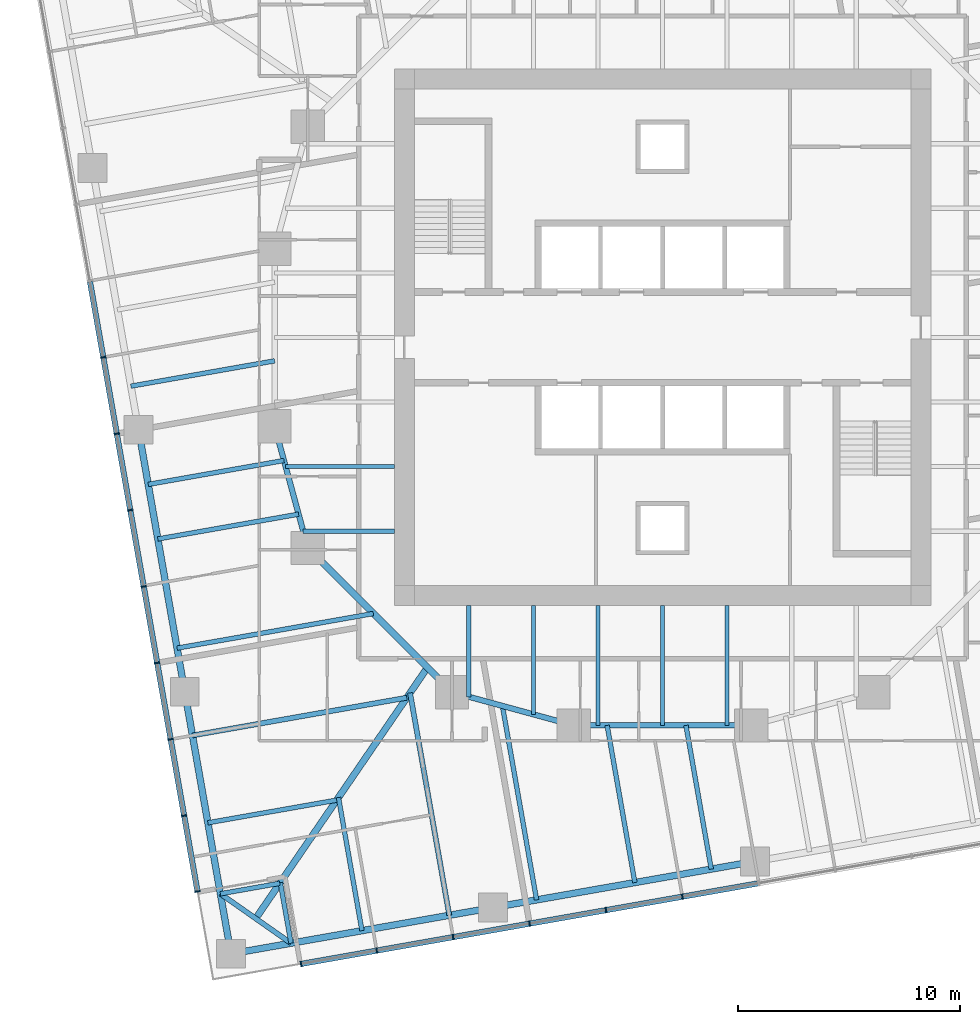
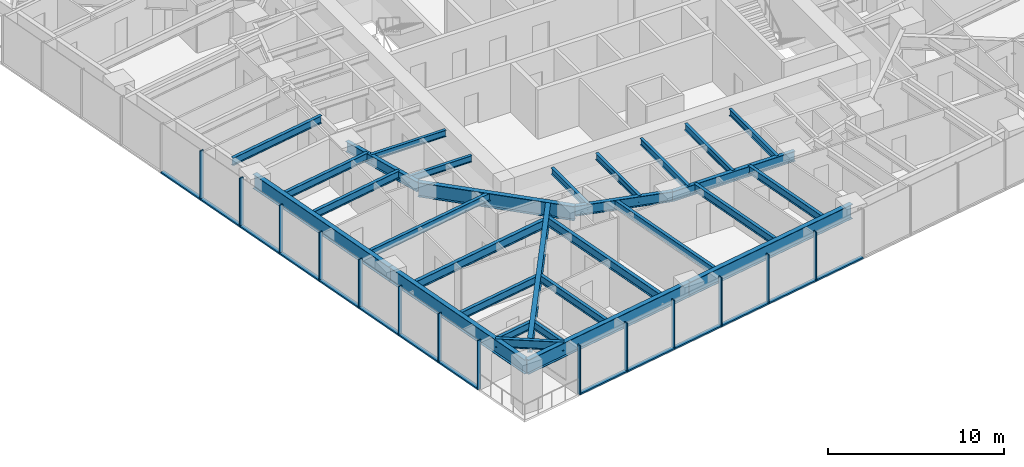
# One storey, part 2 of 14: 30 beams, 28 members, 2 elements without a shape of their own.
"""IFC4 building model written with IfcOpenShell, lengths in metres."""

from ifc_helpers import new_model, si_unit, direction, frame, origin, origin_2d, place, context, subcontext, project, spatial, rectangle, i_section, extrude, material, material_profile, profile_set, type_object, element, aggregate, save


model = new_model("IFC4")

# Units and contexts
model_context = context("Model", 3, precision=1e-05, world=origin(), true_north=direction((0.0, 1.0)))
body_context = subcontext(model_context, "Body", "Model", "MODEL_VIEW")
ifc_project = project(units=[si_unit("LENGTHUNIT", "METRE"), si_unit("AREAUNIT", "SQUARE_METRE"), si_unit("VOLUMEUNIT", "CUBIC_METRE"), si_unit("PLANEANGLEUNIT", "RADIAN"), si_unit("MASSUNIT", "GRAM", prefix="KILO")], contexts=[model_context])

# Site, building, storey
site_placement = place(None, origin())
site = spatial("IfcSite", under=ifc_project, at=site_placement, CompositionType="ELEMENT")
building_placement = place(site_placement, origin())
building = spatial("IfcBuilding", under=site, at=building_placement, Name="Torsade Residences", CompositionType="ELEMENT")
storey_placement = place(building_placement, frame((0.0, 0.0, 99.800048828125)))
storey = spatial("IfcBuildingStorey", under=building, at=storey_placement, Name="L27", CompositionType="ELEMENT", Elevation=99.800048828125)

# Beams
ifc_material_1 = material(Name="Steel grade 300", Category="steel")
ifc_material_profile_1 = material_profile(ifc_material_1, i_section(OverallWidth=0.300048828125, OverallDepth=0.89990234375, WebThickness=0.011962890625, FlangeThickness=0.02490234375, at=origin_2d()), Name="900WB175")
ifc_profile_set_1 = profile_set([ifc_material_profile_1], Name="Steel grade 300")
beam_type_1 = type_object("IfcBeamType", Name="CORNER GIRDER 900WB175", PredefinedType="BEAM", material=ifc_profile_set_1)
beam_1_placement = place(storey_placement, frame((21.6474609375, 3.7900390625, 2.800048828125), z_axis=(0.564724759437, 0.825279313977, 0.0), x_axis=(-0.825279313977, 0.564724759437, 0.0)))
element("IfcBeam", 1, at=beam_1_placement, inside=storey, type_object=beam_type_1, Name="Corner girder 01 L28", PredefinedType="BEAM", context=body_context, shape_type="SweptSolid", body=[
    extrude(i_section(OverallWidth=0.300048828125, OverallDepth=0.89990234375, WebThickness=0.011962890625, FlangeThickness=0.02490234375, at=origin_2d()), origin(), (0.0, 0.0, 1.0), 13.7138671875),
])
ifc_material_2 = material(Name="Steel grade 300", Category="steel")
ifc_material_profile_2 = material_profile(ifc_material_2, i_section(OverallWidth=0.22802734375, OverallDepth=0.60205078125, WebThickness=0.010498046875, FlangeThickness=0.014892578125, FilletRadius=0.013916015625, at=origin_2d()), Name="610UB101")
ifc_profile_set_2 = profile_set([ifc_material_profile_2], Name="Steel grade 300")
beam_type_2 = type_object("IfcBeamType", Name="CORNER TRIMMER 610UB101", PredefinedType="BEAM", material=ifc_profile_set_2)
beam_2_placement = place(storey_placement, frame((23.240478515625, 2.674560546875, 2.948974609375), z_axis=(-0.819152285145, 0.573576092373, 0.0), x_axis=(-0.573576092373, -0.819152285145, 0.0)))
element("IfcBeam", 2, at=beam_2_placement, inside=storey, type_object=beam_type_2, Name="Corner trimmer 01 L28", PredefinedType="BEAM", context=body_context, shape_type="SweptSolid", body=[
    extrude(i_section(OverallWidth=0.22802734375, OverallDepth=0.60205078125, WebThickness=0.010498046875, FlangeThickness=0.014892578125, FilletRadius=0.013916015625, at=origin_2d()), origin(), (0.0, 0.0, 1.0), 3.88916015625),
])

# Curtain wall, members
ifc_material_3 = material(Name="Aluminium and glass", Category="aluminium")
curtain_wall_type = type_object("IfcCurtainWallType", Name="FRITTED GLASS CURTAIN WALL LOW ZONE", PredefinedType="NOTDEFINED", material=ifc_material_3)
curtain_wall_1_placement = place(storey_placement, origin())
curtain_wall_1 = element("IfcCurtainWall", 3, at=curtain_wall_1_placement, inside=storey, type_object=curtain_wall_type, Name="Curtain wall L27 face 1", PredefinedType="NOTDEFINED")
ifc_material_4 = material(Name="Aluminium mullion", Category="aluminium")
ifc_material_profile_3 = material_profile(ifc_material_4, rectangle(XDim=0.25, YDim=0.06494140625, at=origin_2d()), Name="CURTAIN WALL MULLION 250x65")
ifc_profile_set_3 = profile_set([ifc_material_profile_3], Name="Aluminium mullion")
member_type_1 = type_object("IfcMemberType", Name="CURTAIN WALL MULLION 250x65", PredefinedType="MULLION", material=ifc_profile_set_3)
member_1_placement = place(storey_placement, frame((23.692138671875, 1.73876953125, 0.0), z_axis=(0.0, 0.0, 1.0), x_axis=(-0.173648192638, 0.984807750372, 0.0)))
member_1 = element("IfcMember", 4, at=member_1_placement, type_object=member_type_1, Name="Mullion 1", PredefinedType="MULLION", context=body_context, shape_type="SweptSolid", body=[
    extrude(rectangle(XDim=0.25, YDim=0.06494140625, at=origin_2d()), origin(), (0.0, 0.0, 1.0), 3.39990234375),
])
member_2_placement = place(storey_placement, frame((27.107177734375, 2.341064453125, 0.0), z_axis=(0.0, 0.0, 1.0), x_axis=(-0.173648192638, 0.984807750372, 0.0)))
member_2 = element("IfcMember", 5, at=member_2_placement, type_object=member_type_1, Name="Mullion 2", PredefinedType="MULLION", context=body_context, shape_type="SweptSolid", body=[
    extrude(rectangle(XDim=0.25, YDim=0.06494140625, at=origin_2d()), origin(), (0.0, 0.0, 1.0), 3.39990234375),
])
member_3_placement = place(storey_placement, frame((30.553955078125, 2.94873046875, 0.0), z_axis=(0.0, 0.0, 1.0), x_axis=(-0.173648192638, 0.984807750372, 0.0)))
member_3 = element("IfcMember", 6, at=member_3_placement, type_object=member_type_1, Name="Mullion 3", PredefinedType="MULLION", context=body_context, shape_type="SweptSolid", body=[
    extrude(rectangle(XDim=0.25, YDim=0.06494140625, at=origin_2d()), origin(), (0.0, 0.0, 1.0), 3.39990234375),
])
member_4_placement = place(storey_placement, frame((34.000732421875, 3.556396484375, 0.0), z_axis=(0.0, 0.0, 1.0), x_axis=(-0.173648192638, 0.984807750372, 0.0)))
member_4 = element("IfcMember", 7, at=member_4_placement, type_object=member_type_1, Name="Mullion 4", PredefinedType="MULLION", context=body_context, shape_type="SweptSolid", body=[
    extrude(rectangle(XDim=0.25, YDim=0.06494140625, at=origin_2d()), origin(), (0.0, 0.0, 1.0), 3.39990234375),
])
member_5_placement = place(storey_placement, frame((37.447509765625, 4.164306640625, 0.0), z_axis=(0.0, 0.0, 1.0), x_axis=(-0.173648192638, 0.984807750372, 0.0)))
member_5 = element("IfcMember", 8, at=member_5_placement, type_object=member_type_1, Name="Mullion 5", PredefinedType="MULLION", context=body_context, shape_type="SweptSolid", body=[
    extrude(rectangle(XDim=0.25, YDim=0.06494140625, at=origin_2d()), origin(), (0.0, 0.0, 1.0), 3.39990234375),
])
member_6_placement = place(storey_placement, frame((40.894287109375, 4.77197265625, 0.0), z_axis=(0.0, 0.0, 1.0), x_axis=(-0.173648192638, 0.984807750372, 0.0)))
member_6 = element("IfcMember", 9, at=member_6_placement, type_object=member_type_1, Name="Mullion 6", PredefinedType="MULLION", context=body_context, shape_type="SweptSolid", body=[
    extrude(rectangle(XDim=0.25, YDim=0.06494140625, at=origin_2d()), origin(), (0.0, 0.0, 1.0), 3.39990234375),
])

curtain_wall_2_placement = place(storey_placement, origin())
curtain_wall_2 = element("IfcCurtainWall", 10, at=curtain_wall_2_placement, inside=storey, type_object=curtain_wall_type, Name="Curtain wall L27 face 10", PredefinedType="NOTDEFINED")
member_7_placement = place(storey_placement, frame((14.77197265625, 29.105712890625, 0.0), z_axis=(0.0, 0.0, 1.0), x_axis=(0.984807750372, 0.173648192638, 0.0)))
member_7 = element("IfcMember", 11, at=member_7_placement, type_object=member_type_1, Name="Mullion 6", PredefinedType="MULLION", context=body_context, shape_type="SweptSolid", body=[
    extrude(rectangle(XDim=0.25, YDim=0.06494140625, at=origin_2d()), origin(), (0.0, 0.0, 1.0), 3.39990234375),
])
member_8_placement = place(storey_placement, frame((15.3798828125, 25.65869140625, 0.0), z_axis=(0.0, 0.0, 1.0), x_axis=(0.984807750372, 0.173648192638, 0.0)))
member_8 = element("IfcMember", 12, at=member_8_placement, type_object=member_type_1, Name="Mullion 7", PredefinedType="MULLION", context=body_context, shape_type="SweptSolid", body=[
    extrude(rectangle(XDim=0.25, YDim=0.06494140625, at=origin_2d()), origin(), (0.0, 0.0, 1.0), 3.39990234375),
])
member_9_placement = place(storey_placement, frame((15.987548828125, 22.2119140625, 0.0), z_axis=(0.0, 0.0, 1.0), x_axis=(0.984807750372, 0.173648192638, 0.0)))
member_9 = element("IfcMember", 13, at=member_9_placement, type_object=member_type_1, Name="Mullion 8", PredefinedType="MULLION", context=body_context, shape_type="SweptSolid", body=[
    extrude(rectangle(XDim=0.25, YDim=0.06494140625, at=origin_2d()), origin(), (0.0, 0.0, 1.0), 3.39990234375),
])
member_10_placement = place(storey_placement, frame((16.595458984375, 18.76513671875, 0.0), z_axis=(0.0, 0.0, 1.0), x_axis=(0.984807750372, 0.173648192638, 0.0)))
member_10 = element("IfcMember", 14, at=member_10_placement, type_object=member_type_1, Name="Mullion 9", PredefinedType="MULLION", context=body_context, shape_type="SweptSolid", body=[
    extrude(rectangle(XDim=0.25, YDim=0.06494140625, at=origin_2d()), origin(), (0.0, 0.0, 1.0), 3.39990234375),
])
member_11_placement = place(storey_placement, frame((17.203125, 15.318359375, 0.0), z_axis=(0.0, 0.0, 1.0), x_axis=(0.984807750372, 0.173648192638, 0.0)))
member_11 = element("IfcMember", 15, at=member_11_placement, type_object=member_type_1, Name="Mullion 10", PredefinedType="MULLION", context=body_context, shape_type="SweptSolid", body=[
    extrude(rectangle(XDim=0.25, YDim=0.06494140625, at=origin_2d()), origin(), (0.0, 0.0, 1.0), 3.39990234375),
])
member_12_placement = place(storey_placement, frame((17.810791015625, 11.87158203125, 0.0), z_axis=(0.0, 0.0, 1.0), x_axis=(0.984807750372, 0.173648192638, 0.0)))
member_12 = element("IfcMember", 16, at=member_12_placement, type_object=member_type_1, Name="Mullion 11", PredefinedType="MULLION", context=body_context, shape_type="SweptSolid", body=[
    extrude(rectangle(XDim=0.25, YDim=0.06494140625, at=origin_2d()), origin(), (0.0, 0.0, 1.0), 3.39990234375),
])
member_13_placement = place(storey_placement, frame((18.418701171875, 8.424560546875, 0.0), z_axis=(0.0, 0.0, 1.0), x_axis=(0.984807750372, 0.173648192638, 0.0)))
member_13 = element("IfcMember", 17, at=member_13_placement, type_object=member_type_1, Name="Mullion 12", PredefinedType="MULLION", context=body_context, shape_type="SweptSolid", body=[
    extrude(rectangle(XDim=0.25, YDim=0.06494140625, at=origin_2d()), origin(), (0.0, 0.0, 1.0), 3.39990234375),
])
member_14_placement = place(storey_placement, frame((19.020751953125, 5.009765625, 0.0), z_axis=(0.0, 0.0, 1.0), x_axis=(0.984807750372, 0.173648192638, 0.0)))
member_14 = element("IfcMember", 18, at=member_14_placement, type_object=member_type_1, Name="Mullion 13", PredefinedType="MULLION", context=body_context, shape_type="SweptSolid", body=[
    extrude(rectangle(XDim=0.25, YDim=0.06494140625, at=origin_2d()), origin(), (0.0, 0.0, 1.0), 3.39990234375),
])

# Member
ifc_material_5 = material(Name="Aluminium transom", Category="aluminium")
ifc_material_profile_4 = material_profile(ifc_material_5, rectangle(XDim=0.25, YDim=0.10009765625, at=origin_2d()), Name="CURTAIN WALL TRANSOM 250x100")
ifc_profile_set_4 = profile_set([ifc_material_profile_4], Name="Aluminium transom")
member_type_2 = type_object("IfcMemberType", Name="CURTAIN WALL TRANSOM 250x100", PredefinedType="USERDEFINED", material=ifc_profile_set_4)
member_15_placement = place(storey_placement, frame((23.724365234375, 1.744384765625, 0.050048828125), z_axis=(0.984806666774, 0.173654337918, 0.0), x_axis=(-0.173654337918, 0.984806666774, 0.0)))
member_15 = element("IfcMember", 19, at=member_15_placement, type_object=member_type_2, Name="Transom 1.1", ObjectType="TRANSOM", PredefinedType="USERDEFINED", context=body_context, shape_type="SweptSolid", body=[
    extrude(rectangle(XDim=0.25, YDim=0.10009765625, at=origin_2d()), origin(), (0.0, 0.0, 1.0), 3.40234375),
])

member_16_placement = place(storey_placement, frame((27.13916015625, 2.3466796875, 0.050048828125), z_axis=(0.984810021497, 0.17363531196, 0.0), x_axis=(-0.17363531196, 0.984810021497, 0.0)))
member_16 = element("IfcMember", 20, at=member_16_placement, type_object=member_type_2, Name="Transom 2.1", ObjectType="TRANSOM", PredefinedType="USERDEFINED", context=body_context, shape_type="SweptSolid", body=[
    extrude(rectangle(XDim=0.25, YDim=0.10009765625, at=origin_2d()), origin(), (0.0, 0.0, 1.0), 3.43505859375),
])

member_17_placement = place(storey_placement, frame((30.5859375, 2.954345703125, 0.050048828125), z_axis=(0.984810021497, 0.17363531196, 0.0), x_axis=(-0.17363531196, 0.984810021497, 0.0)))
member_17 = element("IfcMember", 21, at=member_17_placement, type_object=member_type_2, Name="Transom 3.1", ObjectType="TRANSOM", PredefinedType="USERDEFINED", context=body_context, shape_type="SweptSolid", body=[
    extrude(rectangle(XDim=0.25, YDim=0.10009765625, at=origin_2d()), origin(), (0.0, 0.0, 1.0), 3.43505859375),
])

member_18_placement = place(storey_placement, frame((34.03271484375, 3.562255859375, 0.050048828125), z_axis=(0.984810021497, 0.17363531196, 0.0), x_axis=(-0.17363531196, 0.984810021497, 0.0)))
member_18 = element("IfcMember", 22, at=member_18_placement, type_object=member_type_2, Name="Transom 4.1", ObjectType="TRANSOM", PredefinedType="USERDEFINED", context=body_context, shape_type="SweptSolid", body=[
    extrude(rectangle(XDim=0.25, YDim=0.10009765625, at=origin_2d()), origin(), (0.0, 0.0, 1.0), 3.43505859375),
])

member_19_placement = place(storey_placement, frame((37.4794921875, 4.169921875, 0.050048828125), z_axis=(0.984810021497, 0.17363531196, 0.0), x_axis=(-0.17363531196, 0.984810021497, 0.0)))
member_19 = element("IfcMember", 23, at=member_19_placement, type_object=member_type_2, Name="Transom 5.1", ObjectType="TRANSOM", PredefinedType="USERDEFINED", context=body_context, shape_type="SweptSolid", body=[
    extrude(rectangle(XDim=0.25, YDim=0.10009765625, at=origin_2d()), origin(), (0.0, 0.0, 1.0), 3.43505859375),
])

member_20_placement = place(storey_placement, frame((40.92626953125, 4.777587890625, 0.050048828125), z_axis=(0.98479786563, 0.173704242465, 0.0), x_axis=(-0.173704242465, 0.98479786563, 0.0)))
member_20 = element("IfcMember", 24, at=member_20_placement, type_object=member_type_2, Name="Transom 6.1", ObjectType="TRANSOM", PredefinedType="USERDEFINED", context=body_context, shape_type="SweptSolid", body=[
    extrude(rectangle(XDim=0.25, YDim=0.10009765625, at=origin_2d()), origin(), (0.0, 0.0, 1.0), 3.43505859375),
])

aggregate(curtain_wall_1, [member_1, member_2, member_3, member_4, member_5, member_6, member_15, member_16, member_17, member_18, member_19, member_20])

member_21_placement = place(storey_placement, frame((14.169921875, 32.5205078125, 0.050048828125), z_axis=(0.17363531196, -0.984810021497, 0.0), x_axis=(0.984810021497, 0.17363531196, 0.0)))
member_21 = element("IfcMember", 25, at=member_21_placement, type_object=member_type_2, Name="Transom 5.1", ObjectType="TRANSOM", PredefinedType="USERDEFINED", context=body_context, shape_type="SweptSolid", body=[
    extrude(rectangle(XDim=0.25, YDim=0.10009765625, at=origin_2d()), origin(), (0.0, 0.0, 1.0), 3.43505859375),
])

member_22_placement = place(storey_placement, frame((14.777587890625, 29.07373046875, 0.050048828125), z_axis=(0.173704242465, -0.98479786563, 0.0), x_axis=(0.98479786563, 0.173704242465, 0.0)))
member_22 = element("IfcMember", 26, at=member_22_placement, type_object=member_type_2, Name="Transom 6.1", ObjectType="TRANSOM", PredefinedType="USERDEFINED", context=body_context, shape_type="SweptSolid", body=[
    extrude(rectangle(XDim=0.25, YDim=0.10009765625, at=origin_2d()), origin(), (0.0, 0.0, 1.0), 3.43505859375),
])

member_23_placement = place(storey_placement, frame((15.385498046875, 25.626708984375, 0.050048828125), z_axis=(0.17363531196, -0.984810021497, 0.0), x_axis=(0.984810021497, 0.17363531196, 0.0)))
member_23 = element("IfcMember", 27, at=member_23_placement, type_object=member_type_2, Name="Transom 7.1", ObjectType="TRANSOM", PredefinedType="USERDEFINED", context=body_context, shape_type="SweptSolid", body=[
    extrude(rectangle(XDim=0.25, YDim=0.10009765625, at=origin_2d()), origin(), (0.0, 0.0, 1.0), 3.43505859375),
])

member_24_placement = place(storey_placement, frame((15.9931640625, 22.179931640625, 0.050048828125), z_axis=(0.17363531196, -0.984810021497, 0.0), x_axis=(0.984810021497, 0.17363531196, 0.0)))
member_24 = element("IfcMember", 28, at=member_24_placement, type_object=member_type_2, Name="Transom 8.1", ObjectType="TRANSOM", PredefinedType="USERDEFINED", context=body_context, shape_type="SweptSolid", body=[
    extrude(rectangle(XDim=0.25, YDim=0.10009765625, at=origin_2d()), origin(), (0.0, 0.0, 1.0), 3.43505859375),
])

member_25_placement = place(storey_placement, frame((16.60107421875, 18.733154296875, 0.050048828125), z_axis=(0.17363531196, -0.984810021497, 0.0), x_axis=(0.984810021497, 0.17363531196, 0.0)))
member_25 = element("IfcMember", 29, at=member_25_placement, type_object=member_type_2, Name="Transom 9.1", ObjectType="TRANSOM", PredefinedType="USERDEFINED", context=body_context, shape_type="SweptSolid", body=[
    extrude(rectangle(XDim=0.25, YDim=0.10009765625, at=origin_2d()), origin(), (0.0, 0.0, 1.0), 3.43505859375),
])

member_26_placement = place(storey_placement, frame((17.208740234375, 15.286376953125, 0.050048828125), z_axis=(0.17363531196, -0.984810021497, 0.0), x_axis=(0.984810021497, 0.17363531196, 0.0)))
member_26 = element("IfcMember", 30, at=member_26_placement, type_object=member_type_2, Name="Transom 10.1", ObjectType="TRANSOM", PredefinedType="USERDEFINED", context=body_context, shape_type="SweptSolid", body=[
    extrude(rectangle(XDim=0.25, YDim=0.10009765625, at=origin_2d()), origin(), (0.0, 0.0, 1.0), 3.43505859375),
])

member_27_placement = place(storey_placement, frame((17.81640625, 11.839599609375, 0.050048828125), z_axis=(0.173704242465, -0.98479786563, 0.0), x_axis=(0.98479786563, 0.173704242465, 0.0)))
member_27 = element("IfcMember", 31, at=member_27_placement, type_object=member_type_2, Name="Transom 11.1", ObjectType="TRANSOM", PredefinedType="USERDEFINED", context=body_context, shape_type="SweptSolid", body=[
    extrude(rectangle(XDim=0.25, YDim=0.10009765625, at=origin_2d()), origin(), (0.0, 0.0, 1.0), 3.43505859375),
])

member_28_placement = place(storey_placement, frame((18.42431640625, 8.392578125, 0.050048828125), z_axis=(0.173642067011, -0.984808830466, 0.0), x_axis=(0.984808830466, 0.173642067011, 0.0)))
member_28 = element("IfcMember", 32, at=member_28_placement, type_object=member_type_2, Name="Transom 12.1", ObjectType="TRANSOM", PredefinedType="USERDEFINED", context=body_context, shape_type="SweptSolid", body=[
    extrude(rectangle(XDim=0.25, YDim=0.10009765625, at=origin_2d()), origin(), (0.0, 0.0, 1.0), 3.402587890625),
])

aggregate(curtain_wall_2, [member_7, member_8, member_9, member_10, member_11, member_12, member_13, member_14, member_21, member_22, member_23, member_24, member_25, member_26, member_27, member_28])

# Beams
ifc_material_6 = material(Name="Steel grade 300", Category="steel")
ifc_material_profile_5 = material_profile(ifc_material_6, i_section(OverallWidth=0.300048828125, OverallDepth=1.0, WebThickness=0.01611328125, FlangeThickness=0.028076171875, at=origin_2d()), Name="1000WB215")
ifc_profile_set_5 = profile_set([ifc_material_profile_5], Name="Steel grade 300")
beam_type_3 = type_object("IfcBeamType", Name="EDGE BEAM 1000WB215", PredefinedType="SPANDREL", material=ifc_profile_set_5)
for number, where, z_axis, x_axis, name in (
    (33, (20.5322265625, 2.197021484375, 2.75), (0.984808127031, 0.173646056486, 0.0), (-0.173646056486, 0.984808127031, 0.0), "Edge beam 01 L28"),
    (34, (32.349853515625, 4.28076171875, 2.75), (0.984808127031, 0.173646056486, 0.0), (-0.173646056486, 0.984808127031, 0.0), "Edge beam 02 L28"),
):
    element("IfcBeam", number, at=place(storey_placement, frame(where, z_axis=z_axis, x_axis=x_axis)), inside=storey, type_object=beam_type_3, Name=name, PredefinedType="SPANDREL", context=body_context, shape_type="SweptSolid", body=[
        extrude(i_section(OverallWidth=0.300048828125, OverallDepth=1.0, WebThickness=0.01611328125, FlangeThickness=0.028076171875, at=origin_2d()), origin(), (0.0, 0.0, 1.0), 12.0),
    ])
beam_3_placement = place(storey_placement, frame((16.364501953125, 25.83251953125, 2.75), z_axis=(0.173662308598, -0.984805261243, 0.0), x_axis=(0.984805261243, 0.173662308598, 0.0)))
element("IfcBeam", 35, at=beam_3_placement, inside=storey, type_object=beam_type_3, Name="Edge beam 15 L28", PredefinedType="SPANDREL", context=body_context, shape_type="SweptSolid", body=[
    extrude(i_section(OverallWidth=0.300048828125, OverallDepth=1.0, WebThickness=0.01611328125, FlangeThickness=0.028076171875, at=origin_2d()), origin(), (0.0, 0.0, 1.0), 12.000244140625),
])
beam_4_placement = place(storey_placement, frame((18.448486328125, 14.0146484375, 2.75), z_axis=(0.173646056486, -0.984808127031, 0.0), x_axis=(0.984808127031, 0.173646056486, 0.0)))
element("IfcBeam", 36, at=beam_4_placement, inside=storey, type_object=beam_type_3, Name="Edge beam 16 L28", PredefinedType="SPANDREL", context=body_context, shape_type="SweptSolid", body=[
    extrude(i_section(OverallWidth=0.300048828125, OverallDepth=1.0, WebThickness=0.01611328125, FlangeThickness=0.028076171875, at=origin_2d()), origin(), (0.0, 0.0, 1.0), 12.0),
])
ifc_material_7 = material(Name="Steel grade 300", Category="steel")
ifc_material_profile_6 = material_profile(ifc_material_7, i_section(OverallWidth=0.18994140625, OverallDepth=0.4541015625, WebThickness=0.008544921875, FlangeThickness=0.0126953125, FilletRadius=0.011474609375, at=origin_2d()), Name="460UB67.1")
ifc_profile_set_6 = profile_set([ifc_material_profile_6], Name="Steel grade 300")
beam_type_4 = type_object("IfcBeamType", Name="INNER FLOOR BEAM 460UB67.1", PredefinedType="JOIST", material=ifc_profile_set_6)
for number, where, z_axis, x_axis, name in (
    (37, (42.91259765625, 17.89990234375, 3.02294921875), (0.0, -1.0, 0.0), (1.0, 0.0, 0.0), "Inner floor beam IS03 L28"),
    (38, (40.0, 17.89990234375, 3.02294921875), (0.0, -1.0, 0.0), (1.0, 0.0, 0.0), "Inner floor beam IS04 L28"),
    (39, (37.08740234375, 17.89990234375, 3.02294921875), (0.0, -1.0, 0.0), (1.0, 0.0, 0.0), "Inner floor beam IS05 L28"),
):
    element("IfcBeam", number, at=place(storey_placement, frame(where, z_axis=z_axis, x_axis=x_axis)), inside=storey, type_object=beam_type_4, Name=name, PredefinedType="JOIST", context=body_context, shape_type="SweptSolid", body=[
        extrude(i_section(OverallWidth=0.18994140625, OverallDepth=0.4541015625, WebThickness=0.008544921875, FlangeThickness=0.0126953125, FilletRadius=0.011474609375, at=origin_2d()), origin(), (0.0, 0.0, 1.0), 5.39990234375),
    ])
beam_5_placement = place(storey_placement, frame((34.175048828125, 17.89990234375, 3.02294921875), z_axis=(0.0, -1.0, 0.0), x_axis=(1.0, 0.0, 0.0)))
element("IfcBeam", 40, at=beam_5_placement, inside=storey, type_object=beam_type_4, Name="Inner floor beam IS06 L28", PredefinedType="JOIST", context=body_context, shape_type="SweptSolid", body=[
    extrude(i_section(OverallWidth=0.18994140625, OverallDepth=0.4541015625, WebThickness=0.008544921875, FlangeThickness=0.0126953125, FilletRadius=0.011474609375, at=origin_2d()), origin(), (0.0, 0.0, 1.0), 4.902099609375),
])
beam_6_placement = place(storey_placement, frame((31.262451171875, 17.89990234375, 3.02294921875), z_axis=(0.0, -1.0, 0.0), x_axis=(1.0, 0.0, 0.0)))
element("IfcBeam", 41, at=beam_6_placement, inside=storey, type_object=beam_type_4, Name="Inner floor beam IS07 L28", PredefinedType="JOIST", context=body_context, shape_type="SweptSolid", body=[
    extrude(i_section(OverallWidth=0.18994140625, OverallDepth=0.4541015625, WebThickness=0.008544921875, FlangeThickness=0.0126953125, FilletRadius=0.011474609375, at=origin_2d()), origin(), (0.0, 0.0, 1.0), 4.10791015625),
])
beam_7_placement = place(storey_placement, frame((27.89990234375, 24.175048828125, 3.02294921875), z_axis=(-1.0, 0.0, 0.0), x_axis=(0.0, -1.0, 0.0)))
element("IfcBeam", 42, at=beam_7_placement, inside=storey, type_object=beam_type_4, Name="Inner floor beam IW06 L28", PredefinedType="JOIST", context=body_context, shape_type="SweptSolid", body=[
    extrude(i_section(OverallWidth=0.18994140625, OverallDepth=0.4541015625, WebThickness=0.008544921875, FlangeThickness=0.0126953125, FilletRadius=0.011474609375, at=origin_2d()), origin(), (0.0, 0.0, 1.0), 4.902099609375),
])
beam_8_placement = place(storey_placement, frame((27.89990234375, 21.262451171875, 3.02294921875), z_axis=(-1.0, 0.0, 0.0), x_axis=(0.0, -1.0, 0.0)))
element("IfcBeam", 43, at=beam_8_placement, inside=storey, type_object=beam_type_4, Name="Inner floor beam IW07 L28", PredefinedType="JOIST", context=body_context, shape_type="SweptSolid", body=[
    extrude(i_section(OverallWidth=0.18994140625, OverallDepth=0.4541015625, WebThickness=0.008544921875, FlangeThickness=0.0126953125, FilletRadius=0.011474609375, at=origin_2d()), origin(), (0.0, 0.0, 1.0), 4.10791015625),
])
ifc_material_8 = material(Name="Steel grade 300", Category="steel")
ifc_material_profile_7 = material_profile(ifc_material_8, i_section(OverallWidth=0.300048828125, OverallDepth=1.0, WebThickness=0.01611328125, FlangeThickness=0.028076171875, at=origin_2d()), Name="1000WB215")
ifc_profile_set_7 = profile_set([ifc_material_profile_7], Name="Steel grade 300")
beam_type_5 = type_object("IfcBeamType", Name="RING CORNER GIRDER 1000WB215", PredefinedType="BEAM", material=ifc_profile_set_7)
beam_9_placement = place(storey_placement, frame((24.0, 20.5, 2.75), z_axis=(0.707106781187, -0.707106781187, 0.0), x_axis=(0.707106781187, 0.707106781187, 0.0)))
element("IfcBeam", 44, at=beam_9_placement, inside=storey, type_object=beam_type_5, Name="Ring girder IR11 L28", PredefinedType="BEAM", context=body_context, shape_type="SweptSolid", body=[
    extrude(i_section(OverallWidth=0.300048828125, OverallDepth=1.0, WebThickness=0.01611328125, FlangeThickness=0.028076171875, at=origin_2d()), origin(), (0.0, 0.0, 1.0), 9.1923828125),
])
ifc_material_9 = material(Name="Steel grade 300", Category="steel")
ifc_material_profile_8 = material_profile(ifc_material_9, i_section(OverallWidth=0.25, OverallDepth=0.699951171875, WebThickness=0.010009765625, FlangeThickness=0.02001953125, at=origin_2d()), Name="700WB130")
ifc_profile_set_8 = profile_set([ifc_material_profile_8], Name="Steel grade 300")
beam_type_6 = type_object("IfcBeamType", Name="RING GIRDER 700WB130", PredefinedType="BEAM", material=ifc_profile_set_8)
for number, where, z_axis, x_axis, name in (
    (45, (22.5, 26.0, 2.89990234375), (0.263117405792, -0.964763821238, 0.0), (0.964763821238, 0.263117405792, 0.0), "Ring girder IR10 L28"),
    (46, (30.5, 14.0, 2.89990234375), (0.964763821238, -0.263117405792, 0.0), (0.263117405792, 0.964763821238, 0.0), "Ring girder IR12 L28"),
):
    element("IfcBeam", number, at=place(storey_placement, frame(where, z_axis=z_axis, x_axis=x_axis)), inside=storey, type_object=beam_type_6, Name=name, PredefinedType="BEAM", context=body_context, shape_type="SweptSolid", body=[
        extrude(i_section(OverallWidth=0.25, OverallDepth=0.699951171875, WebThickness=0.010009765625, FlangeThickness=0.02001953125, at=origin_2d()), origin(), (0.0, 0.0, 1.0), 5.700927734375),
    ])
beam_10_placement = place(storey_placement, frame((36.0, 12.5, 2.89990234375), z_axis=(1.0, 0.0, 0.0), x_axis=(0.0, 1.0, 0.0)))
element("IfcBeam", 47, at=beam_10_placement, inside=storey, type_object=beam_type_6, Name="Ring girder IR13 L28", PredefinedType="BEAM", context=body_context, shape_type="SweptSolid", body=[
    extrude(i_section(OverallWidth=0.25, OverallDepth=0.699951171875, WebThickness=0.010009765625, FlangeThickness=0.02001953125, at=origin_2d()), origin(), (0.0, 0.0, 1.0), 8.0),
])
ifc_material_10 = material(Name="Steel grade 300", Category="steel")
ifc_material_profile_9 = material_profile(ifc_material_10, i_section(OverallWidth=0.208984375, OverallDepth=0.528076171875, WebThickness=0.009521484375, FlangeThickness=0.01318359375, FilletRadius=0.013916015625, at=origin_2d()), Name="530UB82.0")
ifc_profile_set_9 = profile_set([ifc_material_profile_9], Name="Steel grade 300")
beam_type_7 = type_object("IfcBeamType", Name="SECONDARY BEAM 530UB82.0", PredefinedType="JOIST", material=ifc_profile_set_9)
beam_11_placement = place(storey_placement, frame((23.240478515625, 2.674560546875, 2.98583984375), z_axis=(-0.173705176765, 0.984797700832, 0.0), x_axis=(-0.984797700832, -0.173705176765, 0.0)))
element("IfcBeam", 48, at=beam_11_placement, inside=storey, type_object=beam_type_7, Name="Floor beam FS01 L28", PredefinedType="JOIST", context=body_context, shape_type="SweptSolid", body=[
    extrude(i_section(OverallWidth=0.208984375, OverallDepth=0.528076171875, WebThickness=0.009521484375, FlangeThickness=0.01318359375, FilletRadius=0.013916015625, at=origin_2d()), origin(), (0.0, 0.0, 1.0), 2.780029296875),
])
beam_12_placement = place(storey_placement, frame((26.44091796875, 3.239013671875, 2.98583984375), z_axis=(-0.173639225065, 0.984809331556, 0.0), x_axis=(-0.984809331556, -0.173639225065, 0.0)))
element("IfcBeam", 49, at=beam_12_placement, inside=storey, type_object=beam_type_7, Name="Floor beam FS02 L28", PredefinedType="JOIST", context=body_context, shape_type="SweptSolid", body=[
    extrude(i_section(OverallWidth=0.208984375, OverallDepth=0.528076171875, WebThickness=0.009521484375, FlangeThickness=0.01318359375, FilletRadius=0.013916015625, at=origin_2d()), origin(), (0.0, 0.0, 1.0), 6.100830078125),
])
beam_13_placement = place(storey_placement, frame((34.319580078125, 4.628173828125, 2.98583984375), z_axis=(-0.173667781384, 0.984804296147, 0.0), x_axis=(-0.984804296147, -0.173667781384, 0.0)))
element("IfcBeam", 50, at=beam_13_placement, inside=storey, type_object=beam_type_7, Name="Floor beam FS04 L28", PredefinedType="JOIST", context=body_context, shape_type="SweptSolid", body=[
    extrude(i_section(OverallWidth=0.208984375, OverallDepth=0.528076171875, WebThickness=0.009521484375, FlangeThickness=0.01318359375, FilletRadius=0.013916015625, at=origin_2d()), origin(), (0.0, 0.0, 1.0), 8.885986328125),
])
beam_14_placement = place(storey_placement, frame((38.751220703125, 5.40966796875, 2.98583984375), z_axis=(-0.173651855324, 0.984807104535, 0.0), x_axis=(-0.984807104535, -0.173651855324, 0.0)))
element("IfcBeam", 51, at=beam_14_placement, inside=storey, type_object=beam_type_7, Name="Floor beam FS05 L28", PredefinedType="JOIST", context=body_context, shape_type="SweptSolid", body=[
    extrude(i_section(OverallWidth=0.208984375, OverallDepth=0.528076171875, WebThickness=0.009521484375, FlangeThickness=0.01318359375, FilletRadius=0.013916015625, at=origin_2d()), origin(), (0.0, 0.0, 1.0), 7.19970703125),
])
for number, where, z_axis, x_axis, name in (
    (52, (42.197998046875, 6.017333984375, 2.98583984375), (-0.173647806501, 0.984807818459, 0.0), (-0.984807818459, -0.173647806501, 0.0), "Floor beam FS06 L28"),
    (53, (16.017333984375, 27.802001953125, 2.98583984375), (0.984807818459, 0.173647806501, 0.0), (-0.173647806501, 0.984807818459, 0.0), "Floor beam FW06 L28"),
):
    element("IfcBeam", number, at=place(storey_placement, frame(where, z_axis=z_axis, x_axis=x_axis)), inside=storey, type_object=beam_type_7, Name=name, PredefinedType="JOIST", context=body_context, shape_type="SweptSolid", body=[
        extrude(i_section(OverallWidth=0.208984375, OverallDepth=0.528076171875, WebThickness=0.009521484375, FlangeThickness=0.01318359375, FilletRadius=0.013916015625, at=origin_2d()), origin(), (0.0, 0.0, 1.0), 6.582763671875),
    ])
beam_15_placement = place(storey_placement, frame((16.798828125, 23.370361328125, 2.98583984375), z_axis=(0.984806474989, 0.173655425542, 0.0), x_axis=(-0.173655425542, 0.984806474989, 0.0)))
element("IfcBeam", 54, at=beam_15_placement, inside=storey, type_object=beam_type_7, Name="Floor beam FW07 L28", PredefinedType="JOIST", context=body_context, shape_type="SweptSolid", body=[
    extrude(i_section(OverallWidth=0.208984375, OverallDepth=0.528076171875, WebThickness=0.009521484375, FlangeThickness=0.01318359375, FilletRadius=0.013916015625, at=origin_2d()), origin(), (0.0, 0.0, 1.0), 6.21826171875),
])
beam_16_placement = place(storey_placement, frame((17.23291015625, 20.908447265625, 2.98583984375), z_axis=(0.984810608823, 0.17363198078, 0.0), x_axis=(-0.17363198078, 0.984810608823, 0.0)))
element("IfcBeam", 55, at=beam_16_placement, inside=storey, type_object=beam_type_7, Name="Floor beam FW08 L28", PredefinedType="JOIST", context=body_context, shape_type="SweptSolid", body=[
    extrude(i_section(OverallWidth=0.208984375, OverallDepth=0.528076171875, WebThickness=0.009521484375, FlangeThickness=0.01318359375, FilletRadius=0.013916015625, at=origin_2d()), origin(), (0.0, 0.0, 1.0), 6.4482421875),
])
beam_17_placement = place(storey_placement, frame((18.10107421875, 15.984375, 2.98583984375), z_axis=(0.984809246638, 0.173639706679, 0.0), x_axis=(-0.173639706679, 0.984809246638, 0.0)))
element("IfcBeam", 56, at=beam_17_placement, inside=storey, type_object=beam_type_7, Name="Floor beam FW09 L28", PredefinedType="JOIST", context=body_context, shape_type="SweptSolid", body=[
    extrude(i_section(OverallWidth=0.208984375, OverallDepth=0.528076171875, WebThickness=0.009521484375, FlangeThickness=0.01318359375, FilletRadius=0.013916015625, at=origin_2d()), origin(), (0.0, 0.0, 1.0), 8.989990234375),
])
beam_18_placement = place(storey_placement, frame((19.490234375, 8.10595703125, 2.98583984375), z_axis=(0.984811033899, 0.173629569808, 0.0), x_axis=(-0.173629569808, 0.984811033899, 0.0)))
element("IfcBeam", 57, at=beam_18_placement, inside=storey, type_object=beam_type_7, Name="Floor beam FW11 L28", PredefinedType="JOIST", context=body_context, shape_type="SweptSolid", body=[
    extrude(i_section(OverallWidth=0.208984375, OverallDepth=0.528076171875, WebThickness=0.009521484375, FlangeThickness=0.01318359375, FilletRadius=0.013916015625, at=origin_2d()), origin(), (0.0, 0.0, 1.0), 5.9013671875),
])
beam_19_placement = place(storey_placement, frame((20.0546875, 4.9052734375, 2.98583984375), z_axis=(0.984807941563, 0.17364710834, 0.0), x_axis=(-0.17364710834, 0.984807941563, 0.0)))
element("IfcBeam", 58, at=beam_19_placement, inside=storey, type_object=beam_type_7, Name="Floor beam FW12 L28", PredefinedType="JOIST", context=body_context, shape_type="SweptSolid", body=[
    extrude(i_section(OverallWidth=0.208984375, OverallDepth=0.528076171875, WebThickness=0.009521484375, FlangeThickness=0.01318359375, FilletRadius=0.013916015625, at=origin_2d()), origin(), (0.0, 0.0, 1.0), 2.720458984375),
])
ifc_material_11 = material(Name="Steel grade 300", Category="steel")
ifc_material_profile_10 = material_profile(ifc_material_11, i_section(OverallWidth=0.22900390625, OverallDepth=0.612060546875, WebThickness=0.011962890625, FlangeThickness=0.01953125, FilletRadius=0.013916015625, at=origin_2d()), Name="610UB125")
ifc_profile_set_10 = profile_set([ifc_material_profile_10], Name="Steel grade 300")
beam_type_8 = type_object("IfcBeamType", Name="SECONDARY BEAM 610UB125", PredefinedType="JOIST", material=ifc_profile_set_10)
beam_20_placement = place(storey_placement, frame((30.380126953125, 3.93359375, 2.94384765625), z_axis=(-0.173644522411, 0.984808397525, 0.0), x_axis=(-0.984808397525, -0.173644522411, 0.0)))
element("IfcBeam", 59, at=beam_20_placement, inside=storey, type_object=beam_type_8, Name="Floor beam FS03 L28", PredefinedType="JOIST", context=body_context, shape_type="SweptSolid", body=[
    extrude(i_section(OverallWidth=0.22900390625, OverallDepth=0.612060546875, WebThickness=0.011962890625, FlangeThickness=0.01953125, FilletRadius=0.013916015625, at=origin_2d()), origin(), (0.0, 0.0, 1.0), 10.187744140625),
])
beam_21_placement = place(storey_placement, frame((18.795654296875, 12.045166015625, 2.94384765625), z_axis=(0.984807085789, 0.173651961637, 0.0), x_axis=(-0.173651961637, 0.984807085789, 0.0)))
element("IfcBeam", 60, at=beam_21_placement, inside=storey, type_object=beam_type_8, Name="Floor beam FW10 L28", PredefinedType="JOIST", context=body_context, shape_type="SweptSolid", body=[
    extrude(i_section(OverallWidth=0.22900390625, OverallDepth=0.612060546875, WebThickness=0.011962890625, FlangeThickness=0.01953125, FilletRadius=0.013916015625, at=origin_2d()), origin(), (0.0, 0.0, 1.0), 9.816162109375),
])

save(model, "model.ifc")
